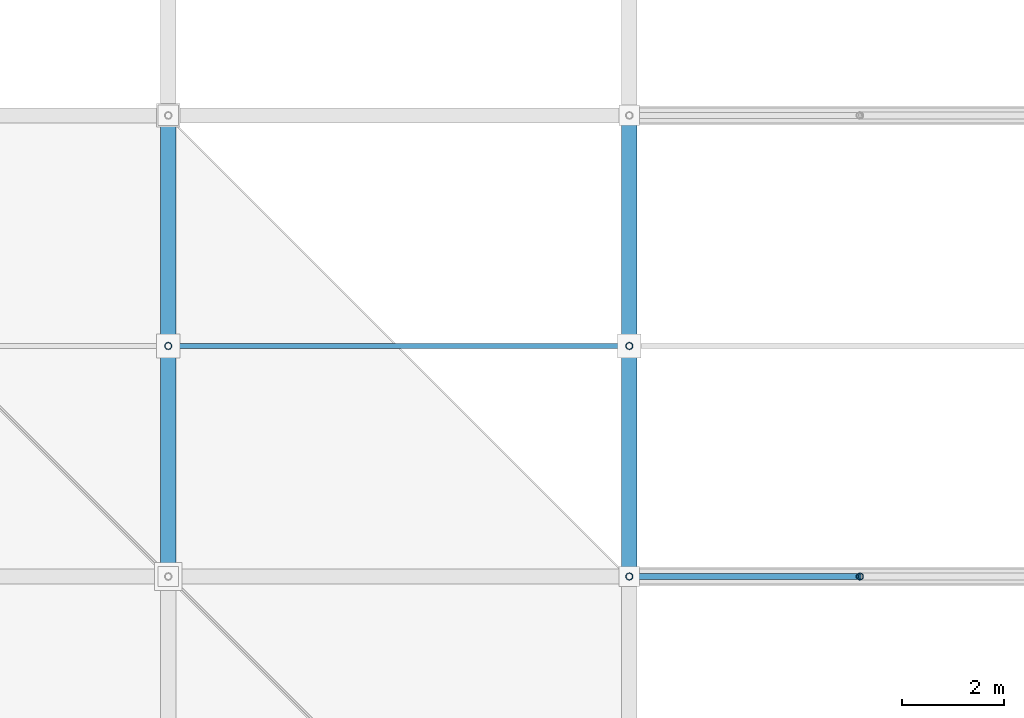
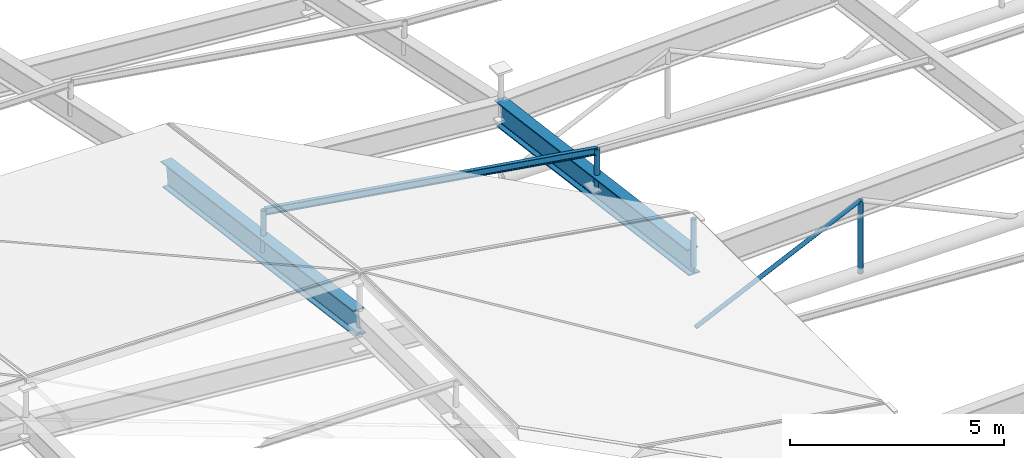
# One storey, part 28 of 80: 6 members, 2 beams.
"""IFC4 building model written with IfcOpenShell, lengths in metres."""

from ifc_helpers import new_model, si_unit, direction, frame, origin, origin_2d, place, context, subcontext, project, spatial, hollow_circle, i_section, extrude, material, material_profile, profile_set, type_object, element, save


model = new_model("IFC4")

# Units and contexts
model_context = context("Model", 3, precision=1e-05, world=origin(), true_north=direction((0.0, 1.0)))
body_context = subcontext(model_context, "Body", "Model", "MODEL_VIEW")
ifc_project = project(units=[si_unit("LENGTHUNIT", "METRE"), si_unit("AREAUNIT", "SQUARE_METRE"), si_unit("VOLUMEUNIT", "CUBIC_METRE"), si_unit("PLANEANGLEUNIT", "RADIAN"), si_unit("MASSUNIT", "GRAM", prefix="KILO")], contexts=[model_context])

# Site, building, storey
site_placement = place(None, origin())
site = spatial("IfcSite", under=ifc_project, at=site_placement, CompositionType="ELEMENT")
building_placement = place(site_placement, origin())
building = spatial("IfcBuilding", under=site, at=building_placement, Name="Barlavento Convention Centre", CompositionType="ELEMENT")
storey_placement = place(building_placement, frame((0.0, 0.0, 29.800048828125)))
storey = spatial("IfcBuildingStorey", under=building, at=storey_placement, Name="RF", CompositionType="ELEMENT", Elevation=29.800048828125)

# Beams
ifc_material_1 = material(Name="Steel S460", Category="steel")
ifc_material_profile_1 = material_profile(ifc_material_1, i_section(OverallWidth=0.300048828125, OverallDepth=0.699951171875, WebThickness=0.01708984375, FlangeThickness=0.031982421875, FilletRadius=0.027099609375, at=origin_2d()), Name="HEB 700")
ifc_profile_set_1 = profile_set([ifc_material_profile_1], Name="Steel S460")
beam_type = type_object("IfcBeamType", Name="STR-BM-TRUSS-TOP-HEB700", PredefinedType="BEAM", material=ifc_profile_set_1)
for number, where, z_axis, x_axis, name in (
    (1, (9.0, 27.0048828125, 0.15625), (0.0, 0.991413376675, -0.130765119773), (-1.0, 0.0, 0.0), "Congress roof truss space frame chord"),
    (2, (18.0, 27.0048828125, -1.25634765625), (0.0, 0.991413376675, -0.130765119773), (-1.0, 0.0, 0.0), "Congress roof truss space frame chord"),
):
    element("IfcBeam", number, at=place(storey_placement, frame(where, z_axis=z_axis, x_axis=x_axis)), inside=storey, type_object=beam_type, Name=name, PredefinedType="BEAM", context=body_context, shape_type="SweptSolid", body=[
        extrude(i_section(OverallWidth=0.300048828125, OverallDepth=0.699951171875, WebThickness=0.01708984375, FlangeThickness=0.031982421875, FilletRadius=0.027099609375, at=origin_2d()), origin(), (0.0, 0.0, 1.0), 9.068115234375),
    ])

# Members
ifc_material_2 = material(Name="Steel S355", Category="steel")
ifc_material_profile_2 = material_profile(ifc_material_2, hollow_circle(Radius=0.05712890625, WallThickness=0.00634765625, at=origin_2d()), Name="CHS 114.3x6.3")
ifc_profile_set_2 = profile_set([ifc_material_profile_2], Name="Steel S355")
member_type_1 = type_object("IfcMemberType", Name="STR-MEM-DIAG-CHS114", PredefinedType="BRACE", material=ifc_profile_set_2)
member_1_placement = place(storey_placement, frame((18.050048828125, 27.0, -3.15625), z_axis=(0.906200921367, 0.0, 0.422847360302), x_axis=(0.0, 1.0, 0.0)))
element("IfcMember", 3, at=member_1_placement, inside=storey, type_object=member_type_1, Name="Plenary hall roof truss web member", PredefinedType="BRACE", context=body_context, shape_type="SweptSolid", body=[
    extrude(hollow_circle(Radius=0.05712890625, WallThickness=0.00634765625, at=origin_2d()), origin(), (0.0, 0.0, 1.0), 4.91064453125),
])
ifc_material_profile_3 = material_profile(ifc_material_2, hollow_circle(Radius=0.06982421875, WallThickness=0.008056640625, at=origin_2d()), Name="CHS 139.7x8.0")
ifc_profile_set_3 = profile_set([ifc_material_profile_3], Name="Steel S355")
member_type_2 = type_object("IfcMemberType", Name="STR-MEM-DIAG-CHS139", PredefinedType="BRACE", material=ifc_profile_set_3)
member_2_placement = place(storey_placement, frame((22.5, 27.0, -3.15625), z_axis=(0.0, 0.0, 1.0), x_axis=(1.0, 0.0, 0.0)))
element("IfcMember", 4, at=member_2_placement, inside=storey, type_object=member_type_2, Name="Plenary hall roof truss web member", PredefinedType="BRACE", context=body_context, shape_type="SweptSolid", body=[
    extrude(hollow_circle(Radius=0.06982421875, WallThickness=0.008056640625, at=origin_2d()), origin(), (0.0, 0.0, 1.0), 2.076416015625),
])
member_3_placement = place(storey_placement, frame((18.0, 27.0, -1.40625), z_axis=(0.0, 0.0, 1.0), x_axis=(1.0, 0.0, 0.0)))
element("IfcMember", 5, at=member_3_placement, inside=storey, type_object=member_type_2, Name="Congress space frame vertical node post TD04", PredefinedType="BRACE", context=body_context, shape_type="SweptSolid", body=[
    extrude(hollow_circle(Radius=0.06982421875, WallThickness=0.008056640625, at=origin_2d()), origin(), (0.0, 0.0, 1.0), 1.369873046875),
])
member_4_placement = place(storey_placement, frame((9.0, 31.5, -0.556640625), z_axis=(0.0, 0.0, 1.0), x_axis=(1.0, 0.0, 0.0)))
element("IfcMember", 6, at=member_4_placement, inside=storey, type_object=member_type_2, Name="Congress space frame vertical node post TD04", PredefinedType="BRACE", context=body_context, shape_type="SweptSolid", body=[
    extrude(hollow_circle(Radius=0.06982421875, WallThickness=0.008056640625, at=origin_2d()), origin(), (0.0, 0.0, 1.0), 1.185791015625),
])
member_5_placement = place(storey_placement, frame((18.0, 31.5, -1.96923828125), z_axis=(0.0, 0.0, 1.0), x_axis=(1.0, 0.0, 0.0)))
element("IfcMember", 7, at=member_5_placement, inside=storey, type_object=member_type_2, Name="Congress space frame vertical node post TD04", PredefinedType="BRACE", context=body_context, shape_type="SweptSolid", body=[
    extrude(hollow_circle(Radius=0.06982421875, WallThickness=0.008056640625, at=origin_2d()), origin(), (0.0, 0.0, 1.0), 1.19775390625),
])
ifc_material_profile_4 = material_profile(ifc_material_2, i_section(OverallWidth=0.10009765625, OverallDepth=0.199951171875, WebThickness=0.005615234375, FlangeThickness=0.008544921875, FilletRadius=0.011962890625, at=origin_2d()), Name="IPE 200")
ifc_profile_set_4 = profile_set([ifc_material_profile_4], Name="Steel S355")
member_type_3 = type_object("IfcMemberType", Name="STR-MEM-PUR-IPE200", PredefinedType="PURLIN", material=ifc_profile_set_4)
member_6_placement = place(storey_placement, frame((9.02001953125, 31.5, 0.58837890625), z_axis=(0.987828132709, 0.0, -0.155549285529), x_axis=(0.0, 1.0, 0.0)))
element("IfcMember", 8, at=member_6_placement, inside=storey, type_object=member_type_3, Name="Congress roof intermediate purlin PR01", PredefinedType="PURLIN", context=body_context, shape_type="SweptSolid", body=[
    extrude(i_section(OverallWidth=0.10009765625, OverallDepth=0.199951171875, WebThickness=0.005615234375, FlangeThickness=0.008544921875, FilletRadius=0.011962890625, at=origin_2d()), origin(), (0.0, 0.0, 1.0), 9.0703125),
])

save(model, "model.ifc")
